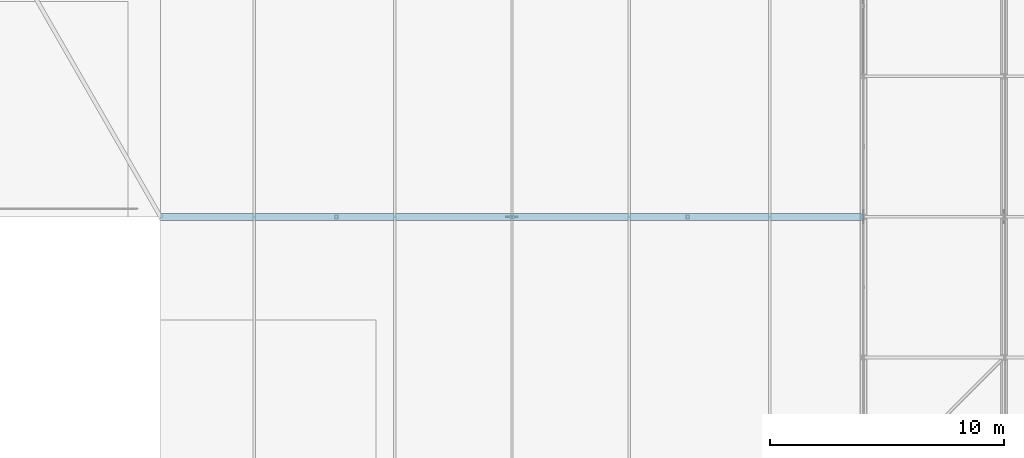
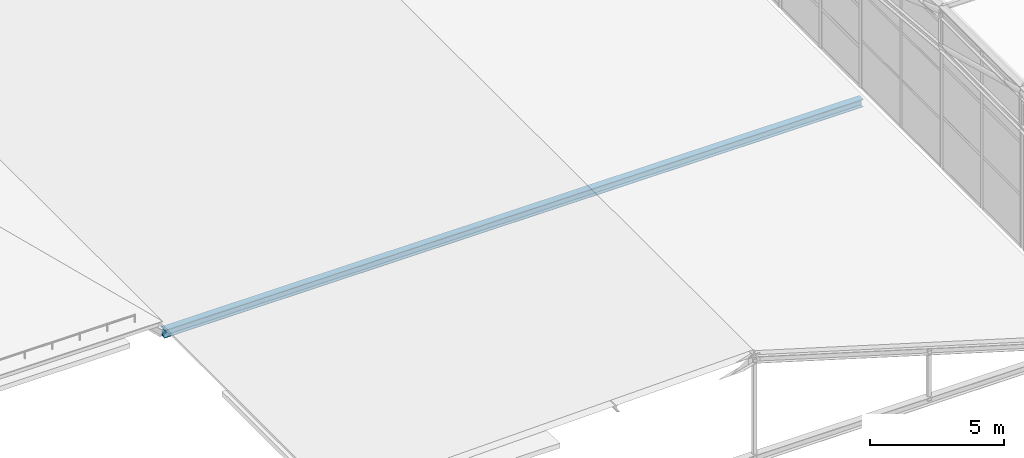
# One storey, part 11 of 204: 1 member.
"""IFC4 building model written with IfcOpenShell, lengths in metres."""

from ifc_helpers import new_model, si_unit, direction, frame, origin, origin_2d, place, context, subcontext, project, spatial, i_section, extrude, material, material_profile, profile_set, type_object, element, save


model = new_model("IFC4")

# Units and contexts
model_context = context("Model", 3, precision=1e-05, world=origin(), true_north=direction((0.0, 1.0)))
body_context = subcontext(model_context, "Body", "Model", "MODEL_VIEW")
ifc_project = project(units=[si_unit("LENGTHUNIT", "METRE"), si_unit("AREAUNIT", "SQUARE_METRE"), si_unit("VOLUMEUNIT", "CUBIC_METRE"), si_unit("PLANEANGLEUNIT", "RADIAN"), si_unit("MASSUNIT", "GRAM", prefix="KILO")], contexts=[model_context])

# Site, building, storey
site_placement = place(None, origin())
site = spatial("IfcSite", under=ifc_project, at=site_placement, CompositionType="ELEMENT")
building_placement = place(site_placement, origin())
building = spatial("IfcBuilding", under=site, at=building_placement, Name="Zilviju Railside Exhibition Hall", CompositionType="ELEMENT")
storey_placement = place(building_placement, frame((0.0, 0.0, 21.0)))
storey = spatial("IfcBuildingStorey", under=building, at=storey_placement, Name="RF", CompositionType="ELEMENT", Elevation=21.0)

# Member
ifc_material = material(Name="Steel S355J2", Category="steel")
ifc_material_profile = material_profile(ifc_material, i_section(OverallWidth=0.300048828125, OverallDepth=0.35009765625, WebThickness=0.010009765625, FlangeThickness=0.017578125, at=origin_2d()), Name="HEA 360")
ifc_profile_set = profile_set([ifc_material_profile], Name="Steel S355J2")
member_type = type_object("IfcMemberType", Name="TR-CH-HEA360", PredefinedType="CHORD", material=ifc_profile_set)
member_placement = place(storey_placement, frame((48.0, 36.0, -8.39990234375), z_axis=(1.0, 0.0, 0.0), x_axis=(0.0, 1.0, 0.0)))
element("IfcMember", 1, at=member_placement, inside=storey, type_object=member_type, Name="Concourse Saddle Tie Chord Y=36.0", PredefinedType="CHORD", context=body_context, shape_type="SweptSolid", body=[
    extrude(i_section(OverallWidth=0.300048828125, OverallDepth=0.35009765625, WebThickness=0.010009765625, FlangeThickness=0.017578125, at=origin_2d()), origin(), (0.0, 0.0, 1.0), 30.0),
])

save(model, "model.ifc")
